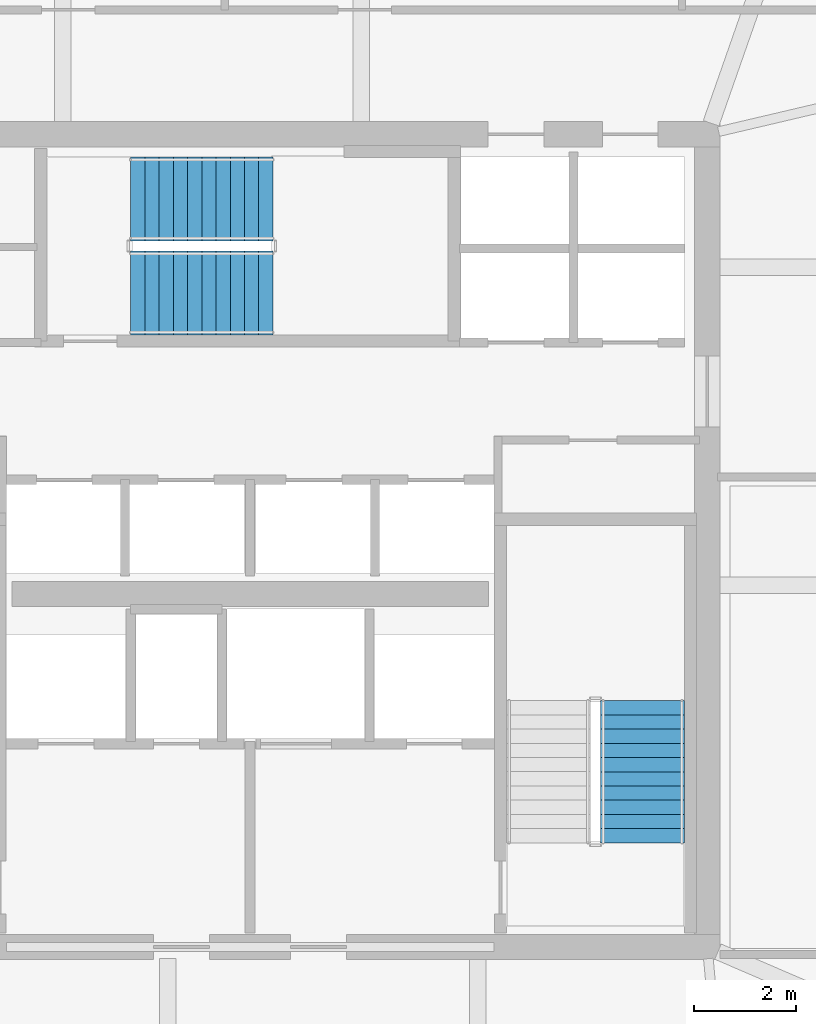
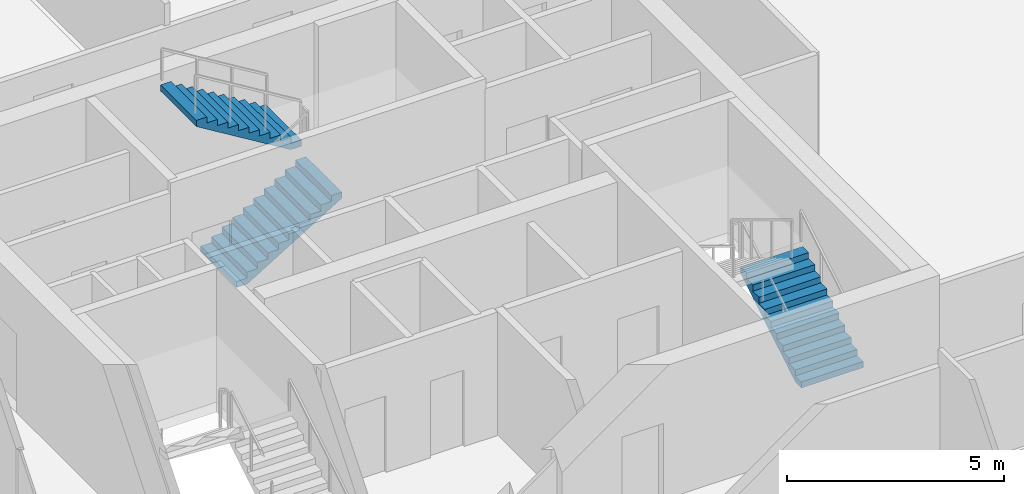
# One storey, part 23 of 28: 3 stair flights, 2 elements without a shape of their own.
"""IFC4 building model written with IfcOpenShell, lengths in metres."""

from ifc_helpers import new_model, si_unit, direction, frame, origin, place, context, subcontext, project, spatial, polyline, outline, extrude, material, type_object, element, aggregate, save


model = new_model("IFC4")

# Units and contexts
model_context = context("Model", 3, precision=1e-05, world=origin(), true_north=direction((0.0, 1.0)))
body_context = subcontext(model_context, "Body", "Model", "MODEL_VIEW")
ifc_project = project(units=[si_unit("LENGTHUNIT", "METRE"), si_unit("AREAUNIT", "SQUARE_METRE"), si_unit("VOLUMEUNIT", "CUBIC_METRE"), si_unit("PLANEANGLEUNIT", "RADIAN"), si_unit("MASSUNIT", "GRAM", prefix="KILO")], contexts=[model_context])

# Site, building, storey
site_placement = place(None, origin())
site = spatial("IfcSite", under=ifc_project, at=site_placement, CompositionType="ELEMENT")
building_placement = place(site_placement, origin())
building = spatial("IfcBuilding", under=site, at=building_placement, Name="Haldenkirk Collegiate Tower", CompositionType="ELEMENT")
storey_placement = place(building_placement, frame((0.0, 0.0, 232.199951171875)))
storey = spatial("IfcBuildingStorey", under=building, at=storey_placement, Name="L58", CompositionType="ELEMENT", Elevation=232.199951171875)

# Stair, stair flight
ifc_material = material(Name="Concrete f'c 40 MPa", Category="concrete")
stair_type = type_object("IfcStairType", Name="STR-DOGLEG-1650", PredefinedType="HALF_TURN_STAIR", material=ifc_material)
stair_1_placement = place(storey_placement, origin())
stair_1 = element("IfcStair", 1, at=stair_1_placement, inside=storey, type_object=stair_type, Name="L58 Core Exit Stair ST-2", PredefinedType="HALF_TURN_STAIR")
stair_flight_type = type_object("IfcStairFlightType", Name="STF-FLIGHT-1650", PredefinedType="STRAIGHT", material=ifc_material)
stair_flight_1_placement = place(storey_placement, frame((43.72509765625, 20.050048828125, 0.0), z_axis=(0.0, 0.0, 1.0), x_axis=(0.0, 1.0, 0.0)))
stair_flight_1 = element("IfcStairFlight", 2, at=stair_flight_1_placement, type_object=stair_flight_type, Name="ST-2 flight 1", NumberOfRisers=11, NumberOfTreads=10, PredefinedType="STRAIGHT", RiserHeight=0.170454545, TreadLength=0.28, context=body_context, shape_type="SweptSolid", body=[
    extrude(outline(polyline([(0.0, 0.0), (0.0, 0.17041015625), (0.280029296875, 0.17041015625), (0.280029296875, 0.3408203125), (0.56005859375, 0.3408203125), (0.56005859375, 0.511474609375), (0.840087890625, 0.511474609375), (0.840087890625, 0.681884765625), (1.1201171875, 0.681884765625), (1.1201171875, 0.852294921875), (1.39990234375, 0.852294921875), (1.39990234375, 1.022705078125), (1.679931640625, 1.022705078125), (1.679931640625, 1.193115234375), (1.9599609375, 1.193115234375), (1.9599609375, 1.363525390625), (2.239990234375, 1.363525390625), (2.239990234375, 1.5341796875), (2.52001953125, 1.5341796875), (2.52001953125, 1.70458984375), (2.800048828125, 1.70458984375), (2.800048828125, 1.875), (2.800048828125, 1.529052734375), (0.288330078125, 0.0), (0.0, 0.0)])), frame((0.0, 0.824951171875, 0.0), z_axis=(0.0, -1.0, 0.0), x_axis=(1.0, 0.0, 0.0)), (0.0, 0.0, 1.0), 1.64990234375),
])
aggregate(stair_1, [stair_flight_1])

# Stair, stair flights
stair_2_placement = place(storey_placement, origin())
stair_2 = element("IfcStair", 3, at=stair_2_placement, inside=storey, type_object=stair_type, Name="L58 Core Exit Stair ST-3", PredefinedType="HALF_TURN_STAIR")
stair_flight_2_placement = place(storey_placement, frame((33.64990234375, 30.875, 0.0), z_axis=(0.0, 0.0, 1.0), x_axis=(1.0, 0.0, 0.0)))
stair_flight_2 = element("IfcStairFlight", 4, at=stair_flight_2_placement, type_object=stair_flight_type, Name="ST-3 flight 1", NumberOfRisers=11, NumberOfTreads=10, PredefinedType="STRAIGHT", RiserHeight=0.170454545, TreadLength=0.28, context=body_context, shape_type="SweptSolid", body=[
    extrude(outline(polyline([(0.0, 0.0), (0.0, 0.17041015625), (0.280029296875, 0.17041015625), (0.280029296875, 0.3408203125), (0.56005859375, 0.3408203125), (0.56005859375, 0.511474609375), (0.840087890625, 0.511474609375), (0.840087890625, 0.681884765625), (1.1201171875, 0.681884765625), (1.1201171875, 0.852294921875), (1.39990234375, 0.852294921875), (1.39990234375, 1.022705078125), (1.679931640625, 1.022705078125), (1.679931640625, 1.193115234375), (1.9599609375, 1.193115234375), (1.9599609375, 1.363525390625), (2.239990234375, 1.363525390625), (2.239990234375, 1.5341796875), (2.52001953125, 1.5341796875), (2.52001953125, 1.70458984375), (2.800048828125, 1.70458984375), (2.800048828125, 1.875), (2.800048828125, 1.529052734375), (0.288330078125, 0.0), (0.0, 0.0)])), frame((0.0, 0.824951171875, 0.0), z_axis=(0.0, -1.0, 0.0), x_axis=(1.0, 0.0, 0.0)), (0.0, 0.0, 1.0), 1.64990234375),
])
stair_flight_3_placement = place(storey_placement, frame((36.449951171875, 32.72509765625, 1.875), z_axis=(0.0, 0.0, 1.0), x_axis=(-1.0, 0.0, 0.0)))
stair_flight_3 = element("IfcStairFlight", 5, at=stair_flight_3_placement, type_object=stair_flight_type, Name="ST-3 flight 2", NumberOfRisers=11, NumberOfTreads=10, PredefinedType="STRAIGHT", RiserHeight=0.170454545, TreadLength=0.28, context=body_context, shape_type="SweptSolid", body=[
    extrude(outline(polyline([(0.0, 0.0), (0.0, 0.17041015625), (0.280029296875, 0.17041015625), (0.280029296875, 0.3408203125), (0.56005859375, 0.3408203125), (0.56005859375, 0.511474609375), (0.840087890625, 0.511474609375), (0.840087890625, 0.681884765625), (1.1201171875, 0.681884765625), (1.1201171875, 0.852294921875), (1.39990234375, 0.852294921875), (1.39990234375, 1.022705078125), (1.679931640625, 1.022705078125), (1.679931640625, 1.193115234375), (1.9599609375, 1.193115234375), (1.9599609375, 1.363525390625), (2.239990234375, 1.363525390625), (2.239990234375, 1.5341796875), (2.52001953125, 1.5341796875), (2.52001953125, 1.70458984375), (2.800048828125, 1.70458984375), (2.800048828125, 1.875), (2.800048828125, 1.529052734375), (0.288330078125, 0.0), (0.0, 0.0)])), frame((0.0, 0.824951171875, 0.0), z_axis=(0.0, -1.0, 0.0), x_axis=(1.0, 0.0, 0.0)), (0.0, 0.0, 1.0), 1.64990234375),
])
aggregate(stair_2, [stair_flight_2, stair_flight_3])

save(model, "model.ifc")
